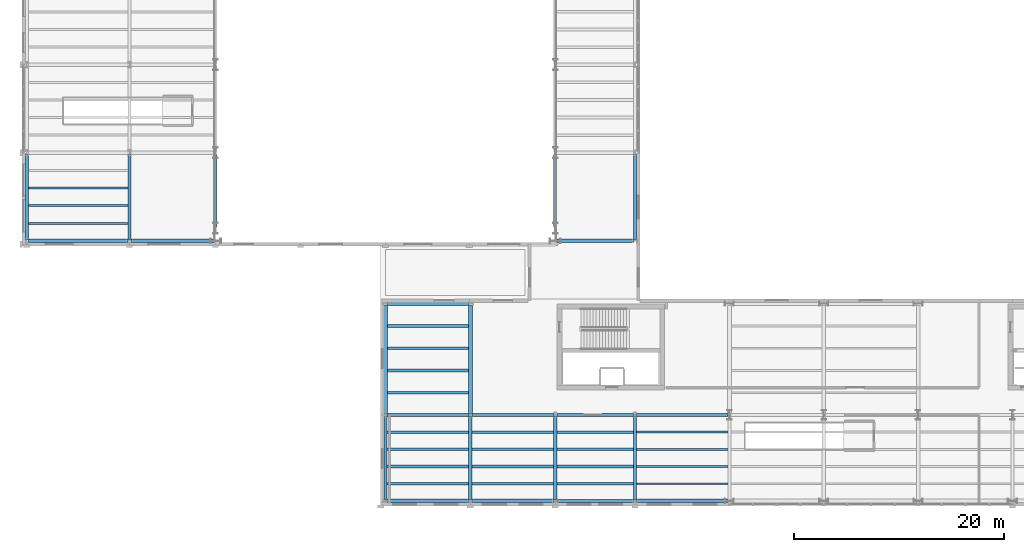
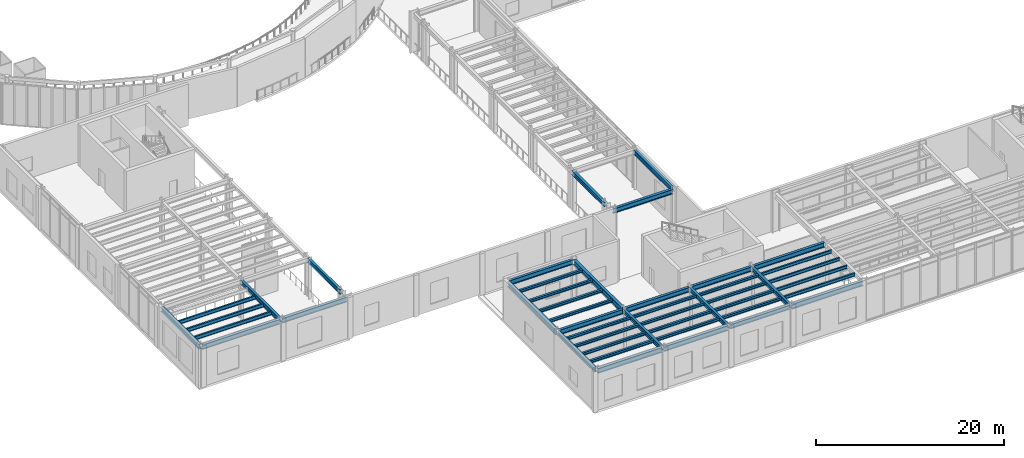
# One storey, part 17 of 98: 46 beams.
"""IFC4 building model written with IfcOpenShell, lengths in metres."""

from ifc_helpers import new_model, si_unit, direction, frame, origin, origin_2d, place, context, subcontext, project, spatial, i_section, extrude, material, material_profile, profile_set, type_object, element, save


model = new_model("IFC4")

# Units and contexts
model_context = context("Model", 3, precision=1e-05, world=origin(), true_north=direction((0.0, 1.0)))
body_context = subcontext(model_context, "Body", "Model", "MODEL_VIEW")
ifc_project = project(units=[si_unit("LENGTHUNIT", "METRE"), si_unit("AREAUNIT", "SQUARE_METRE"), si_unit("VOLUMEUNIT", "CUBIC_METRE"), si_unit("PLANEANGLEUNIT", "RADIAN"), si_unit("MASSUNIT", "GRAM", prefix="KILO")], contexts=[model_context])

# Site, building, storey
site_placement = place(None, origin())
site = spatial("IfcSite", under=ifc_project, at=site_placement, CompositionType="ELEMENT")
building_placement = place(site_placement, origin())
building = spatial("IfcBuilding", under=site, at=building_placement, Name="Sollismere Congress Hotel", CompositionType="ELEMENT")
storey_placement = place(building_placement, frame((0.0, 0.0, 5.39990234375)))
storey = spatial("IfcBuildingStorey", under=building, at=storey_placement, Name="L01", CompositionType="ELEMENT", Elevation=5.39990234375)

# Beams
ifc_material = material(Name="Steel ASTM A992 Grade 50", Category="steel")
ifc_material_profile_1 = material_profile(ifc_material, i_section(OverallWidth=0.31494140625, OverallDepth=0.551025390625, WebThickness=0.01513671875, FlangeThickness=0.0244140625, at=origin_2d()), Name="W21X122")
ifc_profile_set_1 = profile_set([ifc_material_profile_1], Name="Steel ASTM A992 Grade 50")
beam_type_1 = type_object("IfcBeamType", Name="BM-G21H", PredefinedType="BEAM", material=ifc_profile_set_1)
beam_1_placement = place(storey_placement, frame((9.800048828125, 24.93994140625, 4.844482421875), z_axis=(0.0, 1.0, 0.0), x_axis=(-1.0, 0.0, 0.0)))
element("IfcBeam", 1, at=beam_1_placement, inside=storey, type_object=beam_type_1, Name="Beam BM-L01-1628", PredefinedType="BEAM", context=body_context, shape_type="SweptSolid", body=[
    extrude(i_section(OverallWidth=0.31494140625, OverallDepth=0.551025390625, WebThickness=0.01513671875, FlangeThickness=0.0244140625, at=origin_2d()), origin(), (0.0, 0.0, 1.0), 8.1201171875),
])
beam_2_placement = place(storey_placement, frame((18.0, 26.139892578125, 4.844482421875), z_axis=(0.0, 1.0, 0.0), x_axis=(-1.0, 0.0, 0.0)))
element("IfcBeam", 2, at=beam_2_placement, inside=storey, type_object=beam_type_1, Name="Beam BM-L01-1631", PredefinedType="BEAM", context=body_context, shape_type="SweptSolid", body=[
    extrude(i_section(OverallWidth=0.31494140625, OverallDepth=0.551025390625, WebThickness=0.01513671875, FlangeThickness=0.0244140625, at=origin_2d()), origin(), (0.0, 0.0, 1.0), 6.920166015625),
])
for number, where, z_axis, x_axis, name in (
    (3, (34.199951171875, 0.139892578125, 4.844482421875), (0.0, 1.0, 0.0), (-1.0, 0.0, 0.0), "Beam BM-L01-1635"),
    (4, (42.300048828125, 0.139892578125, 4.844482421875), (0.0, 1.0, 0.0), (-1.0, 0.0, 0.0), "Beam BM-L01-1637"),
    (5, (50.39990234375, 0.139892578125, 4.844482421875), (0.0, 1.0, 0.0), (-1.0, 0.0, 0.0), "Beam BM-L01-1639"),
):
    element("IfcBeam", number, at=place(storey_placement, frame(where, z_axis=z_axis, x_axis=x_axis)), inside=storey, type_object=beam_type_1, Name=name, PredefinedType="BEAM", context=body_context, shape_type="SweptSolid", body=[
        extrude(i_section(OverallWidth=0.31494140625, OverallDepth=0.551025390625, WebThickness=0.01513671875, FlangeThickness=0.0244140625, at=origin_2d()), origin(), (0.0, 0.0, 1.0), 7.920166015625),
    ])
beam_3_placement = place(storey_placement, frame((50.39990234375, 26.139892578125, 4.844482421875), z_axis=(0.0, 1.0, 0.0), x_axis=(-1.0, 0.0, 0.0)))
element("IfcBeam", 6, at=beam_3_placement, inside=storey, type_object=beam_type_1, Name="Beam BM-L01-1640", PredefinedType="BEAM", context=body_context, shape_type="SweptSolid", body=[
    extrude(i_section(OverallWidth=0.31494140625, OverallDepth=0.551025390625, WebThickness=0.01513671875, FlangeThickness=0.0244140625, at=origin_2d()), origin(), (0.0, 0.0, 1.0), 6.920166015625),
])
beam_4_placement = place(storey_placement, frame((58.0, 0.139892578125, 4.844482421875), z_axis=(0.0, 1.0, 0.0), x_axis=(-1.0, 0.0, 0.0)))
element("IfcBeam", 7, at=beam_4_placement, inside=storey, type_object=beam_type_1, Name="Beam BM-L01-1646", PredefinedType="BEAM", context=body_context, shape_type="SweptSolid", body=[
    extrude(i_section(OverallWidth=0.31494140625, OverallDepth=0.551025390625, WebThickness=0.01513671875, FlangeThickness=0.0244140625, at=origin_2d()), origin(), (0.0, 0.0, 1.0), 7.920166015625),
])
beam_5_placement = place(storey_placement, frame((58.0, 24.93994140625, 4.844482421875), z_axis=(0.0, 1.0, 0.0), x_axis=(-1.0, 0.0, 0.0)))
element("IfcBeam", 8, at=beam_5_placement, inside=storey, type_object=beam_type_1, Name="Beam BM-L01-1647", PredefinedType="BEAM", context=body_context, shape_type="SweptSolid", body=[
    extrude(i_section(OverallWidth=0.31494140625, OverallDepth=0.551025390625, WebThickness=0.01513671875, FlangeThickness=0.0244140625, at=origin_2d()), origin(), (0.0, 0.0, 1.0), 8.1201171875),
])
ifc_material_profile_2 = material_profile(ifc_material, i_section(OverallWidth=0.324951171875, OverallDepth=0.612060546875, WebThickness=0.0126953125, FlangeThickness=0.01904296875, at=origin_2d()), Name="W24X104")
ifc_profile_set_2 = profile_set([ifc_material_profile_2], Name="Steel ASTM A992 Grade 50")
beam_type_2 = type_object("IfcBeamType", Name="BM-G24", PredefinedType="BEAM", material=ifc_profile_set_2)
beam_6_placement = place(storey_placement, frame((34.340087890625, 8.199951171875, 4.814208984375), z_axis=(1.0, 0.0, 0.0), x_axis=(0.0, 1.0, 0.0)))
element("IfcBeam", 9, at=beam_6_placement, inside=storey, type_object=beam_type_2, Name="Beam BM-L01-1536", PredefinedType="BEAM", context=body_context, shape_type="SweptSolid", body=[
    extrude(i_section(OverallWidth=0.324951171875, OverallDepth=0.612060546875, WebThickness=0.0126953125, FlangeThickness=0.01904296875, at=origin_2d()), origin(), (0.0, 0.0, 1.0), 7.81982421875),
])
beam_7_placement = place(storey_placement, frame((42.43994140625, 8.199951171875, 4.814208984375), z_axis=(1.0, 0.0, 0.0), x_axis=(0.0, 1.0, 0.0)))
element("IfcBeam", 10, at=beam_7_placement, inside=storey, type_object=beam_type_2, Name="Beam BM-L01-1537", PredefinedType="BEAM", context=body_context, shape_type="SweptSolid", body=[
    extrude(i_section(OverallWidth=0.324951171875, OverallDepth=0.612060546875, WebThickness=0.0126953125, FlangeThickness=0.01904296875, at=origin_2d()), origin(), (0.0, 0.0, 1.0), 7.820068359375),
])
beam_8_placement = place(storey_placement, frame((50.5400390625, 8.199951171875, 4.814208984375), z_axis=(1.0, 0.0, 0.0), x_axis=(0.0, 1.0, 0.0)))
element("IfcBeam", 11, at=beam_8_placement, inside=storey, type_object=beam_type_2, Name="Beam BM-L01-1538", PredefinedType="BEAM", context=body_context, shape_type="SweptSolid", body=[
    extrude(i_section(OverallWidth=0.324951171875, OverallDepth=0.612060546875, WebThickness=0.0126953125, FlangeThickness=0.01904296875, at=origin_2d()), origin(), (0.0, 0.0, 1.0), 7.320068359375),
])
beam_9_placement = place(storey_placement, frame((58.139892578125, 8.199951171875, 4.814208984375), z_axis=(1.0, 0.0, 0.0), x_axis=(0.0, 1.0, 0.0)))
element("IfcBeam", 12, at=beam_9_placement, inside=storey, type_object=beam_type_2, Name="Beam BM-L01-1539", PredefinedType="BEAM", context=body_context, shape_type="SweptSolid", body=[
    extrude(i_section(OverallWidth=0.324951171875, OverallDepth=0.612060546875, WebThickness=0.0126953125, FlangeThickness=0.01904296875, at=origin_2d()), origin(), (0.0, 0.0, 1.0), 8.72021484375),
])
beam_10_placement = place(storey_placement, frame((34.340087890625, 18.800048828125, 4.814208984375), z_axis=(1.0, 0.0, 0.0), x_axis=(0.0, 1.0, 0.0)))
element("IfcBeam", 13, at=beam_10_placement, inside=storey, type_object=beam_type_2, Name="Beam BM-L01-1550", PredefinedType="BEAM", context=body_context, shape_type="SweptSolid", body=[
    extrude(i_section(OverallWidth=0.324951171875, OverallDepth=0.612060546875, WebThickness=0.0126953125, FlangeThickness=0.01904296875, at=origin_2d()), origin(), (0.0, 0.0, 1.0), 7.81982421875),
])
beam_11_placement = place(storey_placement, frame((0.139892578125, 24.800048828125, 4.814208984375), z_axis=(1.0, 0.0, 0.0), x_axis=(0.0, 1.0, 0.0)))
element("IfcBeam", 14, at=beam_11_placement, inside=storey, type_object=beam_type_2, Name="Beam BM-L01-1555", PredefinedType="BEAM", context=body_context, shape_type="SweptSolid", body=[
    extrude(i_section(OverallWidth=0.324951171875, OverallDepth=0.612060546875, WebThickness=0.0126953125, FlangeThickness=0.01904296875, at=origin_2d()), origin(), (0.0, 0.0, 1.0), 9.52001953125),
])
beam_12_placement = place(storey_placement, frame((9.93994140625, 24.800048828125, 4.814208984375), z_axis=(1.0, 0.0, 0.0), x_axis=(0.0, 1.0, 0.0)))
element("IfcBeam", 15, at=beam_12_placement, inside=storey, type_object=beam_type_2, Name="Beam BM-L01-1556", PredefinedType="BEAM", context=body_context, shape_type="SweptSolid", body=[
    extrude(i_section(OverallWidth=0.324951171875, OverallDepth=0.612060546875, WebThickness=0.0126953125, FlangeThickness=0.01904296875, at=origin_2d()), origin(), (0.0, 0.0, 1.0), 7.920166015625),
])
beam_13_placement = place(storey_placement, frame((50.5400390625, 24.800048828125, 4.814208984375), z_axis=(1.0, 0.0, 0.0), x_axis=(0.0, 1.0, 0.0)))
element("IfcBeam", 16, at=beam_13_placement, inside=storey, type_object=beam_type_2, Name="Beam BM-L01-1557", PredefinedType="BEAM", context=body_context, shape_type="SweptSolid", body=[
    extrude(i_section(OverallWidth=0.324951171875, OverallDepth=0.612060546875, WebThickness=0.0126953125, FlangeThickness=0.01904296875, at=origin_2d()), origin(), (0.0, 0.0, 1.0), 7.320068359375),
])
ifc_material_profile_3 = material_profile(ifc_material, i_section(OverallWidth=0.35595703125, OverallDepth=0.696044921875, WebThickness=0.015380859375, FlangeThickness=0.025146484375, at=origin_2d()), Name="W27X146")
ifc_profile_set_3 = profile_set([ifc_material_profile_3], Name="Steel ASTM A992 Grade 50")
beam_type_3 = type_object("IfcBeamType", Name="BM-G27", PredefinedType="BEAM", material=ifc_profile_set_3)
for number, where, z_axis, x_axis, name in (
    (17, (34.199951171875, 8.340087890625, 4.772216796875), (0.0, 1.0, 0.0), (-1.0, 0.0, 0.0), "Beam BM-L01-1636"),
    (18, (42.300048828125, 8.340087890625, 4.772216796875), (0.0, 1.0, 0.0), (-1.0, 0.0, 0.0), "Beam BM-L01-1638"),
):
    element("IfcBeam", number, at=place(storey_placement, frame(where, z_axis=z_axis, x_axis=x_axis)), inside=storey, type_object=beam_type_3, Name=name, PredefinedType="BEAM", context=body_context, shape_type="SweptSolid", body=[
        extrude(i_section(OverallWidth=0.35595703125, OverallDepth=0.696044921875, WebThickness=0.015380859375, FlangeThickness=0.025146484375, at=origin_2d()), origin(), (0.0, 0.0, 1.0), 10.31982421875),
    ])
ifc_material_profile_4 = material_profile(ifc_material, i_section(OverallWidth=0.25390625, OverallDepth=0.35595703125, WebThickness=0.010498046875, FlangeThickness=0.018310546875, at=origin_2d()), Name="W14X68")
ifc_profile_set_4 = profile_set([ifc_material_profile_4], Name="Steel ASTM A992 Grade 50")
beam_type_4 = type_object("IfcBeamType", Name="BM-J14", PredefinedType="JOIST", material=ifc_profile_set_4)
for number, where, z_axis, x_axis, name in (
    (19, (34.357421875, 1.639892578125, 4.942138671875), (1.0, 0.0, 0.0), (0.0, 1.0, 0.0), "Beam BM-L01-1743"),
    (20, (34.357421875, 3.280029296875, 4.942138671875), (1.0, 0.0, 0.0), (0.0, 1.0, 0.0), "Beam BM-L01-1744"),
    (21, (34.357421875, 4.919921875, 4.942138671875), (1.0, 0.0, 0.0), (0.0, 1.0, 0.0), "Beam BM-L01-1745"),
    (22, (34.357421875, 6.56005859375, 4.942138671875), (1.0, 0.0, 0.0), (0.0, 1.0, 0.0), "Beam BM-L01-1746"),
):
    element("IfcBeam", number, at=place(storey_placement, frame(where, z_axis=z_axis, x_axis=x_axis)), inside=storey, type_object=beam_type_4, Name=name, PredefinedType="JOIST", context=body_context, shape_type="SweptSolid", body=[
        extrude(i_section(OverallWidth=0.25390625, OverallDepth=0.35595703125, WebThickness=0.010498046875, FlangeThickness=0.018310546875, at=origin_2d()), origin(), (0.0, 0.0, 1.0), 7.78515625),
    ])
for number, where, z_axis, x_axis, name in (
    (23, (34.3779296875, 10.320068359375, 4.942138671875), (1.0, 0.0, 0.0), (0.0, 1.0, 0.0), "Beam BM-L01-1747"),
    (24, (34.3779296875, 12.43994140625, 4.942138671875), (1.0, 0.0, 0.0), (0.0, 1.0, 0.0), "Beam BM-L01-1748"),
    (25, (34.3779296875, 14.56005859375, 4.942138671875), (1.0, 0.0, 0.0), (0.0, 1.0, 0.0), "Beam BM-L01-1749"),
    (26, (34.3779296875, 16.679931640625, 4.942138671875), (1.0, 0.0, 0.0), (0.0, 1.0, 0.0), "Beam BM-L01-1750"),
):
    element("IfcBeam", number, at=place(storey_placement, frame(where, z_axis=z_axis, x_axis=x_axis)), inside=storey, type_object=beam_type_4, Name=name, PredefinedType="JOIST", context=body_context, shape_type="SweptSolid", body=[
        extrude(i_section(OverallWidth=0.25390625, OverallDepth=0.35595703125, WebThickness=0.010498046875, FlangeThickness=0.018310546875, at=origin_2d()), origin(), (0.0, 0.0, 1.0), 7.744140625),
    ])
for number, where, z_axis, x_axis, name in (
    (27, (42.45751953125, 1.639892578125, 4.942138671875), (1.0, 0.0, 0.0), (0.0, 1.0, 0.0), "Beam BM-L01-1751"),
    (28, (42.45751953125, 3.280029296875, 4.942138671875), (1.0, 0.0, 0.0), (0.0, 1.0, 0.0), "Beam BM-L01-1752"),
    (29, (42.45751953125, 4.919921875, 4.942138671875), (1.0, 0.0, 0.0), (0.0, 1.0, 0.0), "Beam BM-L01-1753"),
    (30, (42.45751953125, 6.56005859375, 4.942138671875), (1.0, 0.0, 0.0), (0.0, 1.0, 0.0), "Beam BM-L01-1754"),
):
    element("IfcBeam", number, at=place(storey_placement, frame(where, z_axis=z_axis, x_axis=x_axis)), inside=storey, type_object=beam_type_4, Name=name, PredefinedType="JOIST", context=body_context, shape_type="SweptSolid", body=[
        extrude(i_section(OverallWidth=0.25390625, OverallDepth=0.35595703125, WebThickness=0.010498046875, FlangeThickness=0.018310546875, at=origin_2d()), origin(), (0.0, 0.0, 1.0), 7.784912109375),
    ])
for number, where, z_axis, x_axis, name in (
    (31, (50.5576171875, 1.639892578125, 4.942138671875), (1.0, 0.0, 0.0), (0.0, 1.0, 0.0), "Beam BM-L01-1755"),
    (32, (50.5576171875, 3.280029296875, 4.942138671875), (1.0, 0.0, 0.0), (0.0, 1.0, 0.0), "Beam BM-L01-1756"),
    (33, (50.5576171875, 4.919921875, 4.942138671875), (1.0, 0.0, 0.0), (0.0, 1.0, 0.0), "Beam BM-L01-1757"),
    (34, (50.5576171875, 6.56005859375, 4.942138671875), (1.0, 0.0, 0.0), (0.0, 1.0, 0.0), "Beam BM-L01-1758"),
):
    element("IfcBeam", number, at=place(storey_placement, frame(where, z_axis=z_axis, x_axis=x_axis)), inside=storey, type_object=beam_type_4, Name=name, PredefinedType="JOIST", context=body_context, shape_type="SweptSolid", body=[
        extrude(i_section(OverallWidth=0.25390625, OverallDepth=0.35595703125, WebThickness=0.010498046875, FlangeThickness=0.018310546875, at=origin_2d()), origin(), (0.0, 0.0, 1.0), 7.284912109375),
    ])
ifc_material_profile_5 = material_profile(ifc_material, i_section(OverallWidth=0.180908203125, OverallDepth=0.4169921875, WebThickness=0.010986328125, FlangeThickness=0.018310546875, at=origin_2d()), Name="W16X57")
ifc_profile_set_5 = profile_set([ifc_material_profile_5], Name="Steel ASTM A992 Grade 50")
beam_type_5 = type_object("IfcBeamType", Name="BM-J16", PredefinedType="JOIST", material=ifc_profile_set_5)
for number, where, z_axis, x_axis, name in (
    (35, (58.157470703125, 1.639892578125, 4.91162109375), (1.0, 0.0, 0.0), (0.0, 1.0, 0.0), "Beam BM-L01-1771"),
    (36, (58.157470703125, 3.280029296875, 4.91162109375), (1.0, 0.0, 0.0), (0.0, 1.0, 0.0), "Beam BM-L01-1772"),
    (37, (58.157470703125, 4.919921875, 4.91162109375), (1.0, 0.0, 0.0), (0.0, 1.0, 0.0), "Beam BM-L01-1773"),
    (38, (58.157470703125, 6.56005859375, 4.91162109375), (1.0, 0.0, 0.0), (0.0, 1.0, 0.0), "Beam BM-L01-1774"),
):
    element("IfcBeam", number, at=place(storey_placement, frame(where, z_axis=z_axis, x_axis=x_axis)), inside=storey, type_object=beam_type_5, Name=name, PredefinedType="JOIST", context=body_context, shape_type="SweptSolid", body=[
        extrude(i_section(OverallWidth=0.180908203125, OverallDepth=0.4169921875, WebThickness=0.010986328125, FlangeThickness=0.018310546875, at=origin_2d()), origin(), (0.0, 0.0, 1.0), 8.68505859375),
    ])
ifc_material_profile_6 = material_profile(ifc_material, i_section(OverallWidth=0.193115234375, OverallDepth=0.467041015625, WebThickness=0.011474609375, FlangeThickness=0.01904296875, at=origin_2d()), Name="W18X65")
ifc_profile_set_6 = profile_set([ifc_material_profile_6], Name="Steel ASTM A992 Grade 50")
beam_type_6 = type_object("IfcBeamType", Name="BM-J18", PredefinedType="JOIST", material=ifc_profile_set_6)
for number, where, z_axis, x_axis, name in (
    (39, (0.1650390625, 26.47998046875, 4.88671875), (1.0, 0.0, 0.0), (0.0, 1.0, 0.0), "Beam BM-L01-1723"),
    (40, (0.1650390625, 28.159912109375, 4.88671875), (1.0, 0.0, 0.0), (0.0, 1.0, 0.0), "Beam BM-L01-1724"),
    (41, (0.1650390625, 29.840087890625, 4.88671875), (1.0, 0.0, 0.0), (0.0, 1.0, 0.0), "Beam BM-L01-1725"),
):
    element("IfcBeam", number, at=place(storey_placement, frame(where, z_axis=z_axis, x_axis=x_axis)), inside=storey, type_object=beam_type_6, Name=name, PredefinedType="JOIST", context=body_context, shape_type="SweptSolid", body=[
        extrude(i_section(OverallWidth=0.193115234375, OverallDepth=0.467041015625, WebThickness=0.011474609375, FlangeThickness=0.01904296875, at=origin_2d()), origin(), (0.0, 0.0, 1.0), 9.4775390625),
    ])
ifc_material_profile_7 = material_profile(ifc_material, i_section(OverallWidth=0.31494140625, OverallDepth=0.551025390625, WebThickness=0.01513671875, FlangeThickness=0.0244140625, at=origin_2d()), Name="W21X122")
ifc_profile_set_7 = profile_set([ifc_material_profile_7], Name="Steel ASTM A992 Grade 50")
beam_type_7 = type_object("IfcBeamType", Name="BM-SP21E", PredefinedType="SPANDREL", material=ifc_profile_set_7)
beam_14_placement = place(storey_placement, frame((50.5400390625, 0.0, 4.844482421875), z_axis=(1.0, 0.0, 0.0), x_axis=(0.0, 1.0, 0.0)))
element("IfcBeam", 42, at=beam_14_placement, inside=storey, type_object=beam_type_7, Name="Beam BM-L01-1524", PredefinedType="SPANDREL", context=body_context, shape_type="SweptSolid", body=[
    extrude(i_section(OverallWidth=0.31494140625, OverallDepth=0.551025390625, WebThickness=0.01513671875, FlangeThickness=0.0244140625, at=origin_2d()), origin(), (0.0, 0.0, 1.0), 7.320068359375),
])
ifc_material_profile_8 = material_profile(ifc_material, i_section(OverallWidth=0.330078125, OverallDepth=0.635009765625, WebThickness=0.017822265625, FlangeThickness=0.031005859375, at=origin_2d()), Name="W24X162")
ifc_profile_set_8 = profile_set([ifc_material_profile_8], Name="Steel ASTM A992 Grade 50")
beam_type_8 = type_object("IfcBeamType", Name="BM-SP24E", PredefinedType="SPANDREL", material=ifc_profile_set_8)
beam_15_placement = place(storey_placement, frame((34.340087890625, 0.0, 4.802490234375), z_axis=(1.0, 0.0, 0.0), x_axis=(0.0, 1.0, 0.0)))
element("IfcBeam", 43, at=beam_15_placement, inside=storey, type_object=beam_type_8, Name="Beam BM-L01-1522", PredefinedType="SPANDREL", context=body_context, shape_type="SweptSolid", body=[
    extrude(i_section(OverallWidth=0.330078125, OverallDepth=0.635009765625, WebThickness=0.017822265625, FlangeThickness=0.031005859375, at=origin_2d()), origin(), (0.0, 0.0, 1.0), 7.81982421875),
])
beam_16_placement = place(storey_placement, frame((42.43994140625, 0.0, 4.802490234375), z_axis=(1.0, 0.0, 0.0), x_axis=(0.0, 1.0, 0.0)))
element("IfcBeam", 44, at=beam_16_placement, inside=storey, type_object=beam_type_8, Name="Beam BM-L01-1523", PredefinedType="SPANDREL", context=body_context, shape_type="SweptSolid", body=[
    extrude(i_section(OverallWidth=0.330078125, OverallDepth=0.635009765625, WebThickness=0.017822265625, FlangeThickness=0.031005859375, at=origin_2d()), origin(), (0.0, 0.0, 1.0), 7.820068359375),
])
beam_17_placement = place(storey_placement, frame((58.139892578125, 0.0, 4.802490234375), z_axis=(1.0, 0.0, 0.0), x_axis=(0.0, 1.0, 0.0)))
element("IfcBeam", 45, at=beam_17_placement, inside=storey, type_object=beam_type_8, Name="Beam BM-L01-1525", PredefinedType="SPANDREL", context=body_context, shape_type="SweptSolid", body=[
    extrude(i_section(OverallWidth=0.330078125, OverallDepth=0.635009765625, WebThickness=0.017822265625, FlangeThickness=0.031005859375, at=origin_2d()), origin(), (0.0, 0.0, 1.0), 8.72021484375),
])
beam_18_placement = place(storey_placement, frame((0.0, 24.93994140625, 4.802490234375), z_axis=(0.0, 1.0, 0.0), x_axis=(-1.0, 0.0, 0.0)))
element("IfcBeam", 46, at=beam_18_placement, inside=storey, type_object=beam_type_8, Name="Beam BM-L01-1623", PredefinedType="SPANDREL", context=body_context, shape_type="SweptSolid", body=[
    extrude(i_section(OverallWidth=0.330078125, OverallDepth=0.635009765625, WebThickness=0.017822265625, FlangeThickness=0.031005859375, at=origin_2d()), origin(), (0.0, 0.0, 1.0), 8.1201171875),
])

save(model, "model.ifc")
